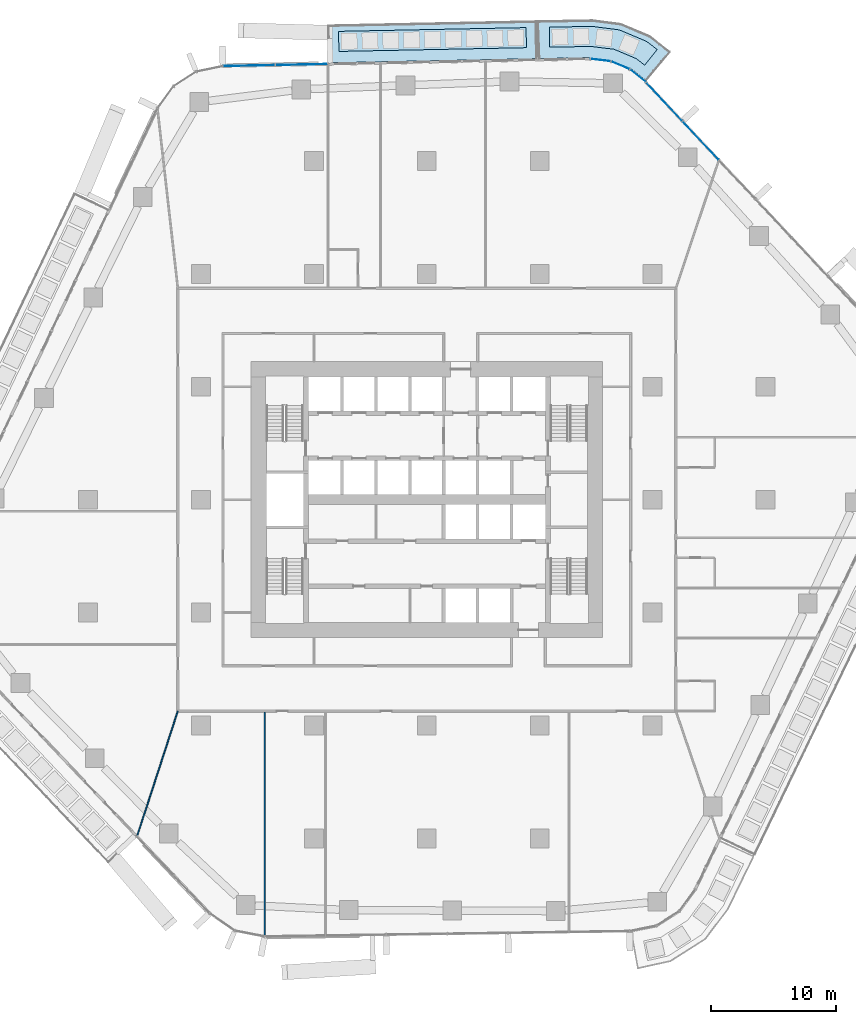
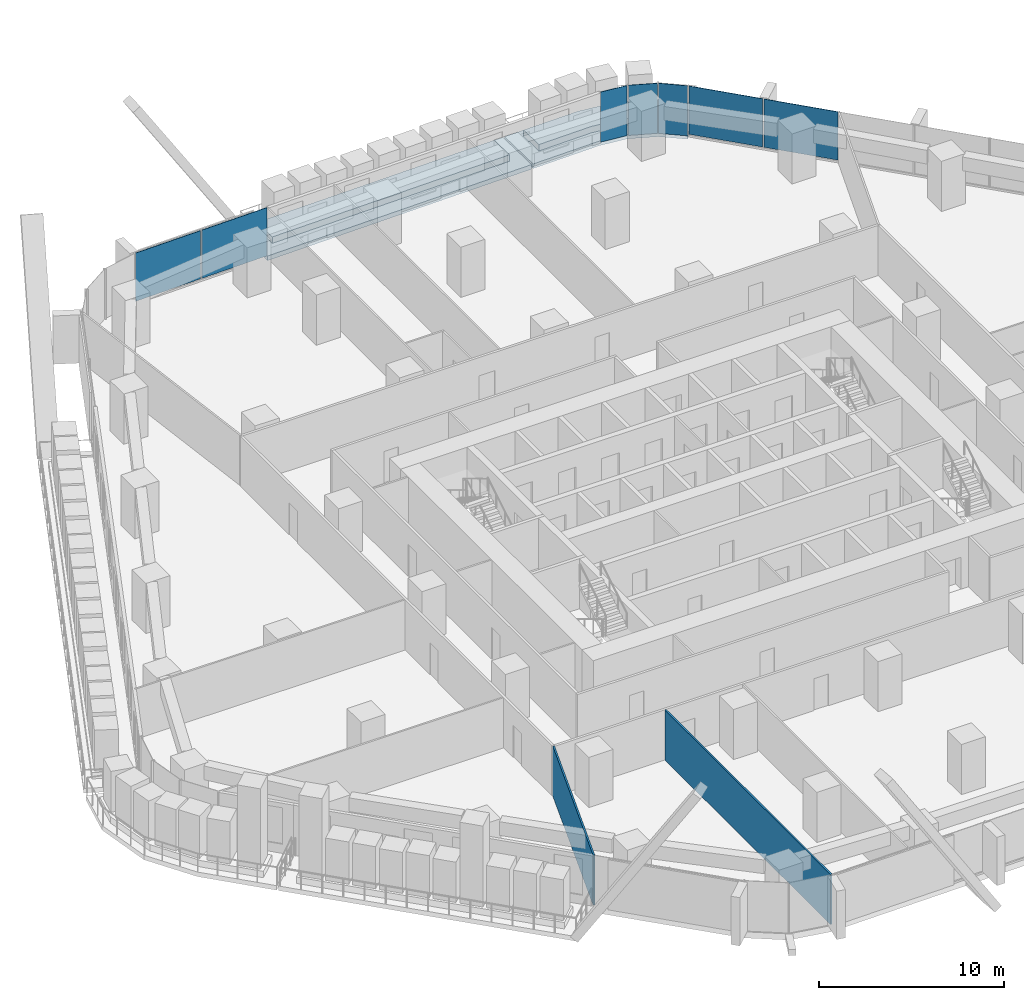
# One storey, part 11 of 24: 7 plates, 4 slabs, 2 walls, 3 elements without a shape of their own.
"""IFC4 building model written with IfcOpenShell, lengths in metres."""

from ifc_helpers import new_model, si_unit, direction, frame, frame_2d, origin, origin_2d, place, context, subcontext, project, spatial, polyline, rectangle, outline, extrude, material, layer, layer_set, type_object, element, aggregate, save


model = new_model("IFC4")

# Units and contexts
model_context = context("Model", 3, precision=1e-05, world=origin(), true_north=direction((0.0, 1.0)))
body_context = subcontext(model_context, "Body", "Model", "MODEL_VIEW")
ifc_project = project(units=[si_unit("LENGTHUNIT", "METRE"), si_unit("AREAUNIT", "SQUARE_METRE"), si_unit("VOLUMEUNIT", "CUBIC_METRE"), si_unit("PLANEANGLEUNIT", "RADIAN"), si_unit("MASSUNIT", "GRAM", prefix="KILO")], contexts=[model_context])

# Site, building, storey
site_placement = place(None, origin())
site = spatial("IfcSite", under=ifc_project, at=site_placement, CompositionType="ELEMENT")
building_placement = place(site_placement, origin())
building = spatial("IfcBuilding", under=site, at=building_placement, Name="Dongbaek Canopy Tower", CompositionType="ELEMENT")
storey_placement = place(building_placement, frame((0.0, 0.0, 51.39990234375)))
storey = spatial("IfcBuildingStorey", under=building, at=storey_placement, Name="L08", CompositionType="ELEMENT", Elevation=51.39990234375)

# Slabs
ifc_material_1 = material(Name="Concrete C40/50", Category="concrete")
ifc_layer_1 = layer(ifc_material_1, 0.300048828125)
ifc_layer_set_1 = layer_set([ifc_layer_1], Name="Balcony slab 300")
slab_type_1 = type_object("IfcSlabType", Name="Balcony slab 300", PredefinedType="FLOOR", material=ifc_layer_set_1)
slab_1_placement = place(storey_placement, frame((0.0, 0.0, -0.2998046875)))
element("IfcSlab", 1, at=slab_1_placement, inside=storey, type_object=slab_type_1, Name="Balcony L08 1", PredefinedType="FLOOR", context=body_context, shape_type="SweptSolid", body=[
    extrude(outline(polyline([(8.809814453125, 35.161865234375), (-7.839599609375, 34.829833984375), (-7.8994140625, 37.829345703125), (8.75, 38.1611328125), (8.809814453125, 35.161865234375)])), origin(), (0.0, 0.0, 1.0), 0.2998046875),
])
slab_2_placement = place(storey_placement, frame((0.0, 0.0, -0.2998046875)))
element("IfcSlab", 2, at=slab_2_placement, inside=storey, type_object=slab_type_1, Name="Balcony L08 5", PredefinedType="FLOOR", context=body_context, shape_type="SweptSolid", body=[
    extrude(outline(polyline([(17.50390625, 33.383544921875), (16.24267578125, 34.39892578125), (14.704345703125, 35.046875), (13.047119140625, 35.24609375), (8.90966796875, 35.163818359375), (8.849853515625, 38.1630859375), (13.196533203125, 38.242431640625), (15.47314453125, 37.94677734375), (17.780517578125, 36.974609375), (19.38525390625, 35.72021484375), (17.50390625, 33.383544921875)])), origin(), (0.0, 0.0, 1.0), 0.2998046875),
])

# Curtain wall, plates
ifc_material_2 = material(Name="Aluminium 6063-T6 pale anodised", Category="aluminium")
ifc_layer_2 = layer(ifc_material_2, 0.199951171875)
ifc_layer_set_2 = layer_set([ifc_layer_2], Name="CW-1 unitised tower curtain wall")
curtain_wall_type = type_object("IfcCurtainWallType", Name="CW-1 unitised tower curtain wall", PredefinedType="NOTDEFINED", material=ifc_layer_set_2)
curtain_wall_1_placement = place(storey_placement, origin())
curtain_wall_1 = element("IfcCurtainWall", 3, at=curtain_wall_1_placement, inside=storey, type_object=curtain_wall_type, Name="CW-1 curtain wall F0.1", PredefinedType="NOTDEFINED")
ifc_material_3 = material(Name="Clear laminated glass", Category="glass")
ifc_layer_3 = layer(ifc_material_3, 0.028076171875)
ifc_layer_set_3 = layer_set([ifc_layer_3], Name="CW-1 glazed panel 28")
plate_type = type_object("IfcPlateType", Name="CW-1 glazed panel 28", PredefinedType="CURTAIN_PANEL", material=ifc_layer_set_3)
plate_1_placement = place(storey_placement, frame((21.830078125, 28.63525390625, 0.1201171875), z_axis=(0.0, 0.0, 1.0), x_axis=(-0.684120242484, 0.729369243815, 0.0)))
plate_1 = element("IfcPlate", 4, at=plate_1_placement, type_object=plate_type, Name="CW-1 panel F0.1.6.1", PredefinedType="CURTAIN_PANEL", context=body_context, shape_type="SweptSolid", body=[
    extrude(rectangle(XDim=4.164794921875, YDim=0.028076171875, at=origin_2d()), origin(), (0.0, 0.0, 1.0), 3.179931640625),
])
plate_2_placement = place(storey_placement, frame((18.925537109375, 31.731689453125, 0.1201171875), z_axis=(0.0, 0.0, 1.0), x_axis=(-0.684120242484, 0.729369243815, 0.0)))
plate_2 = element("IfcPlate", 5, at=plate_2_placement, type_object=plate_type, Name="CW-1 panel F0.1.7.1", PredefinedType="CURTAIN_PANEL", context=body_context, shape_type="SweptSolid", body=[
    extrude(rectangle(XDim=4.157958984375, YDim=0.028076171875, at=origin_2d()), origin(), (0.0, 0.0, 1.0), 3.179931640625),
])
aggregate(curtain_wall_1, [plate_1, plate_2])

curtain_wall_2_placement = place(storey_placement, origin())
curtain_wall_2 = element("IfcCurtainWall", 6, at=curtain_wall_2_placement, inside=storey, type_object=curtain_wall_type, Name="CW-1 curtain wall K1.1", PredefinedType="NOTDEFINED")
plate_3_placement = place(storey_placement, frame((16.832763671875, 33.79541015625, 0.0), z_axis=(0.0, 0.0, 1.0), x_axis=(-0.778925916436, 0.627115951562, 0.0)))
plate_3 = element("IfcPlate", 7, at=plate_3_placement, type_object=plate_type, Name="CW-1 panel K1.1.1.1", PredefinedType="CURTAIN_PANEL", context=body_context, shape_type="SweptSolid", body=[
    extrude(rectangle(XDim=1.564208984375, YDim=0.028076171875, at=origin_2d()), origin(), (0.0, 0.0, 1.0), 3.300048828125),
])
plate_4_placement = place(storey_placement, frame((15.4345703125, 34.630859375, 0.0), z_axis=(0.0, 0.0, 1.0), x_axis=(-0.921552400482, 0.388254005988, 0.0)))
plate_4 = element("IfcPlate", 8, at=plate_4_placement, type_object=plate_type, Name="CW-1 panel K1.1.2.1", PredefinedType="CURTAIN_PANEL", context=body_context, shape_type="SweptSolid", body=[
    extrude(rectangle(XDim=1.55712890625, YDim=0.028076171875, at=origin_2d()), origin(), (0.0, 0.0, 1.0), 3.300048828125),
])
plate_5_placement = place(storey_placement, frame((13.860107421875, 35.0478515625, 0.0), z_axis=(0.0, 0.0, 1.0), x_axis=(-0.992853177302, 0.119342231926, 0.0)))
plate_5 = element("IfcPlate", 9, at=plate_5_placement, type_object=plate_type, Name="CW-1 panel K1.1.3.1", PredefinedType="CURTAIN_PANEL", context=body_context, shape_type="SweptSolid", body=[
    extrude(rectangle(XDim=1.564208984375, YDim=0.028076171875, at=origin_2d()), origin(), (0.0, 0.0, 1.0), 3.300048828125),
])
aggregate(curtain_wall_2, [plate_3, plate_4, plate_5])

curtain_wall_3_placement = place(storey_placement, origin())
curtain_wall_3 = element("IfcCurtainWall", 10, at=curtain_wall_3_placement, inside=storey, type_object=curtain_wall_type, Name="CW-1 curtain wall F1.1", PredefinedType="NOTDEFINED")
plate_6_placement = place(storey_placement, frame((-9.981201171875, 34.687255859375, 0.1201171875), z_axis=(0.0, 0.0, 1.0), x_axis=(-0.999801462382, -0.019925757664, 0.0)))
plate_6 = element("IfcPlate", 11, at=plate_6_placement, type_object=plate_type, Name="CW-1 panel F1.1.1.1", PredefinedType="CURTAIN_PANEL", context=body_context, shape_type="SweptSolid", body=[
    extrude(rectangle(XDim=4.104248046875, YDim=0.028076171875, at=origin_2d()), origin(), (0.0, 0.0, 1.0), 3.179931640625),
])
plate_7_placement = place(storey_placement, frame((-14.1640625, 34.603759765625, 0.1201171875), z_axis=(0.0, 0.0, 1.0), x_axis=(-0.999801462382, -0.019925757664, 0.0)))
plate_7 = element("IfcPlate", 12, at=plate_7_placement, type_object=plate_type, Name="CW-1 panel F1.1.2.1", PredefinedType="CURTAIN_PANEL", context=body_context, shape_type="SweptSolid", body=[
    extrude(rectangle(XDim=4.094970703125, YDim=0.028076171875, at=origin_2d()), origin(), (0.0, 0.0, 1.0), 3.179931640625),
])
aggregate(curtain_wall_3, [plate_6, plate_7])

# Slabs
ifc_material_4 = material(Name="Reinforced concrete C40/50 planter box with soil", Category="concrete")
ifc_layer_4 = layer(ifc_material_4, 0.419921875)
ifc_layer_set_4 = layer_set([ifc_layer_4], Name="Terrace planter box 1600 x 420")
slab_type_2 = type_object("IfcSlabType", Name="Terrace planter box 1600 x 420", PredefinedType="USERDEFINED", material=ifc_layer_set_4)
slab_3_placement = place(storey_placement, origin())
element("IfcSlab", 13, at=slab_3_placement, inside=storey, type_object=slab_type_2, Name="Balcony planter L08 1", ObjectType="PLANTER", PredefinedType="USERDEFINED", context=body_context, shape_type="SweptSolid", body=[
    extrude(outline(polyline([(7.942138671875, 36.03466796875), (-7.007568359375, 35.736572265625), (-7.039306640625, 37.33642578125), (7.91015625, 37.63427734375), (7.942138671875, 36.03466796875)])), origin(), (0.0, 0.0, 1.0), 0.420166015625),
])
slab_4_placement = place(storey_placement, origin())
element("IfcSlab", 14, at=slab_4_placement, inside=storey, type_object=slab_type_2, Name="Balcony planter L08 5", ObjectType="PLANTER", PredefinedType="USERDEFINED", context=body_context, shape_type="SweptSolid", body=[
    extrude(outline(polyline([(17.36083984375, 34.64111328125), (16.698974609375, 35.1630859375), (14.932373046875, 35.9072265625), (13.09130859375, 36.135009765625), (9.791748046875, 36.071533203125), (9.759765625, 37.671142578125), (13.171142578125, 37.733154296875), (15.342529296875, 37.453857421875), (17.51904296875, 36.536865234375), (18.3642578125, 35.887451171875), (17.36083984375, 34.64111328125)])), origin(), (0.0, 0.0, 1.0), 0.420166015625),
])

# Walls
ifc_material_5 = material(Name="Gypsum board partition, steel stud, 2 x 12.5 mm board", Category="steel")
ifc_layer_5 = layer(ifc_material_5, 0.10009765625)
ifc_layer_set_5 = layer_set([ifc_layer_5], Name="Partition 100 gypsum board")
wall_type = type_object("IfcWallType", Name="Partition 100 gypsum board", PredefinedType="PARTITIONING", material=ifc_layer_set_5)
wall_1_placement = place(storey_placement, frame((-23.10107421875, -26.826416015625, 0.0), z_axis=(0.0, 0.0, 1.0), x_axis=(0.309854630824, 0.950783943784, 0.0)))
element("IfcWall", 15, at=wall_1_placement, inside=storey, type_object=wall_type, Name="Partition", PredefinedType="PARTITIONING", context=body_context, shape_type="SweptSolid", body=[
    extrude(rectangle(XDim=10.49267578125, YDim=0.10009765625, at=frame_2d((5.246337890625, 0.0))), origin(), (0.0, 0.0, 1.0), 3.300048828125),
])
wall_2_placement = place(storey_placement, frame((-12.9208984375, -34.79248046875, 0.0), z_axis=(0.0, 0.0, 1.0), x_axis=(0.0, 1.0, 0.0)))
element("IfcWall", 16, at=wall_2_placement, inside=storey, type_object=wall_type, Name="Partition", PredefinedType="PARTITIONING", context=body_context, shape_type="SweptSolid", body=[
    extrude(rectangle(XDim=17.867431640625, YDim=0.10009765625, at=frame_2d((8.93359375, 0.0))), origin(), (0.0, 0.0, 1.0), 3.300048828125),
])

save(model, "model.ifc")
